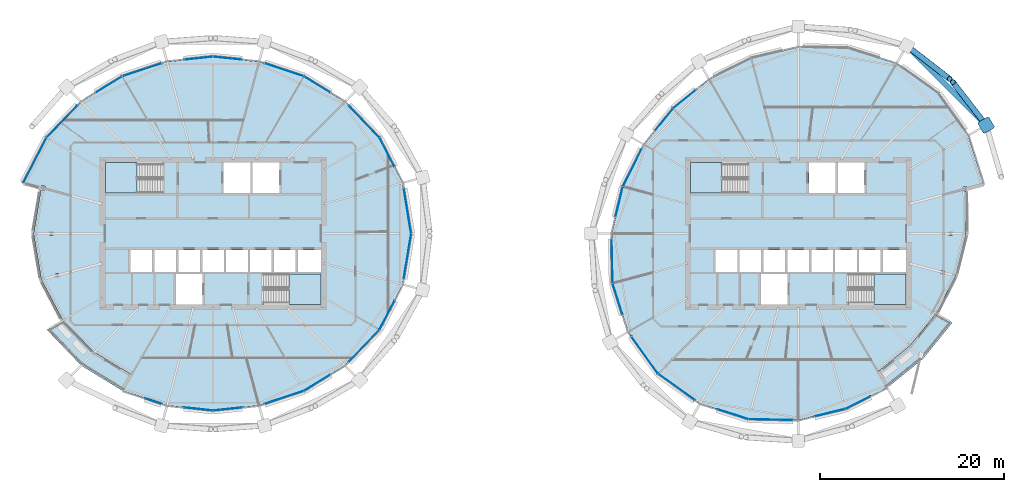
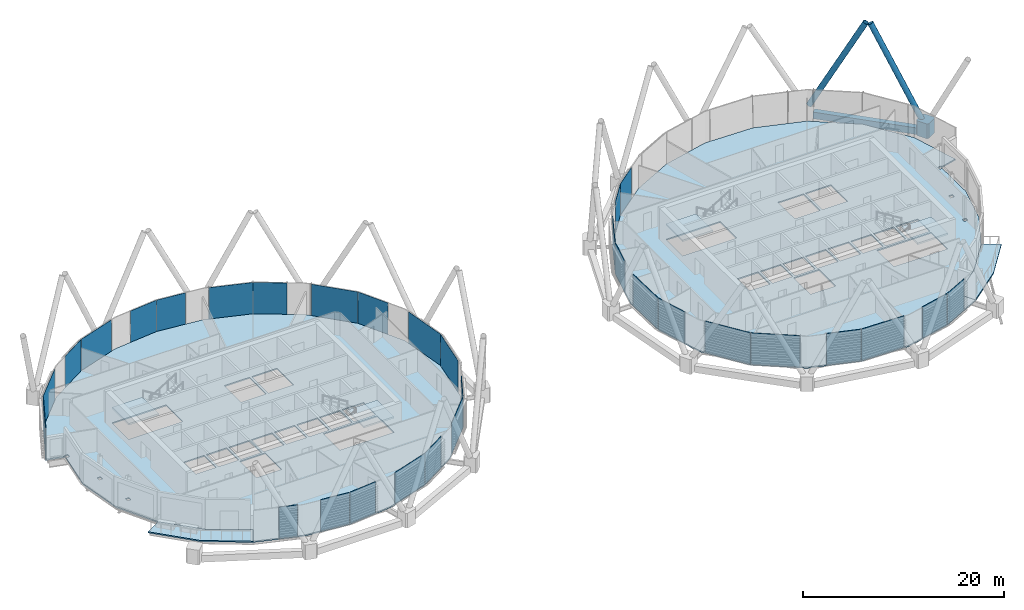
# One storey, part 20 of 36: 31 plates, 8 slabs, 3 members, 1 beam, 6 elements without a shape of their own.
"""IFC4 building model written with IfcOpenShell, lengths in metres."""

from ifc_helpers import new_model, si_unit, direction, frame, origin, origin_2d, place, context, subcontext, project, spatial, polyline, rectangle, hollow_rectangle, hollow_circle, outline, extrude, material, layer, layer_set, material_profile, profile_set, type_object, element, aggregate, save


model = new_model("IFC4")

# Units and contexts
model_context = context("Model", 3, precision=1e-05, world=origin(), true_north=direction((0.0, 1.0)))
body_context = subcontext(model_context, "Body", "Model", "MODEL_VIEW")
ifc_project = project(units=[si_unit("LENGTHUNIT", "METRE"), si_unit("AREAUNIT", "SQUARE_METRE"), si_unit("VOLUMEUNIT", "CUBIC_METRE"), si_unit("PLANEANGLEUNIT", "RADIAN"), si_unit("MASSUNIT", "GRAM", prefix="KILO")], contexts=[model_context])

# Site, building, storey
site_placement = place(None, origin())
site = spatial("IfcSite", under=ifc_project, at=site_placement, CompositionType="ELEMENT")
building_placement = place(site_placement, origin())
building = spatial("IfcBuilding", under=site, at=building_placement, Name="Rimbun Link Towers", CompositionType="ELEMENT")
storey_placement = place(building_placement, frame((0.0, 0.0, 193.10009765625)))
storey = spatial("IfcBuildingStorey", under=building, at=storey_placement, Name="L47", CompositionType="ELEMENT", Elevation=193.10009765625)

# Members
ifc_material_1 = material(Name="Steel S355J2H", Category="steel")
ifc_material_profile_1 = material_profile(ifc_material_1, hollow_circle(Radius=0.3046875, WallThickness=0.02490234375, at=origin_2d()), Name="Diagrid diagonal CHS 610x25")
ifc_profile_set_1 = profile_set([ifc_material_profile_1], Name="Steel S355J2H")
member_type_1 = type_object("IfcMemberType", Name="Diagrid diagonal CHS 610x25", PredefinedType="BRACE", material=ifc_profile_set_1)
for number, where, z_axis, x_axis, name in (
    (1, (43.7138671875, 20.251953125, 0.43994140625), (0.374977723071, -0.290707327666, 0.880273228516), (0.612702795437, 0.790313409012, 0.0), "Diagrid diagonal T2 L47-L50 01a"),
    (2, (52.001953125, 11.9638671875, 0.43994140625), (-0.290707327666, 0.374977723071, 0.880273228516), (-0.790313409012, -0.612702795437, 0.0), "Diagrid diagonal T2 L47-L50 23b"),
):
    element("IfcMember", number, at=place(storey_placement, frame(where, z_axis=z_axis, x_axis=x_axis)), inside=storey, type_object=member_type_1, Name=name, PredefinedType="BRACE", context=body_context, shape_type="SweptSolid", body=[
        extrude(hollow_circle(Radius=0.3046875, WallThickness=0.02490234375, at=origin_2d()), origin(), (0.0, 0.0, 1.0), 11.95068359375),
    ])
ifc_material_2 = material(Name="Cast steel G20Mn5+QT, Rp0.2 300 MPa", Category="steel")
ifc_material_profile_2 = material_profile(ifc_material_2, outline(polyline([(0.699951171875, -0.570068359375), (0.699951171875, 0.570068359375), (0.570068359375, 0.699951171875), (-0.570068359375, 0.699951171875), (-0.699951171875, 0.570068359375), (-0.699951171875, -0.570068359375), (-0.570068359375, -0.699951171875), (0.570068359375, -0.699951171875), (0.699951171875, -0.570068359375)])), Name="NODE 1400x1400")
ifc_profile_set_2 = profile_set([ifc_material_profile_2], Name="Cast steel G20Mn5+QT, Rp0.2 300 MPa")
member_type_2 = type_object("IfcMemberType", Name="Diagrid node cast 1400", PredefinedType="USERDEFINED", material=ifc_profile_set_2)
member_placement = place(storey_placement, frame((52.147216796875, 11.7763671875, -0.900146484375), z_axis=(0.0, 0.0, 1.0), x_axis=(0.866025403784, 0.5, 0.0)))
element("IfcMember", 3, at=member_placement, inside=storey, type_object=member_type_2, Name="Diagrid node L47 23", ObjectType="Diagrid node", PredefinedType="USERDEFINED", context=body_context, shape_type="SweptSolid", body=[
    extrude(outline(polyline([(0.699951171875, -0.570068359375), (0.699951171875, 0.570068359375), (0.570068359375, 0.699951171875), (-0.570068359375, 0.699951171875), (-0.699951171875, 0.570068359375), (-0.699951171875, -0.570068359375), (-0.570068359375, -0.699951171875), (0.570068359375, -0.699951171875), (0.699951171875, -0.570068359375)])), origin(), (0.0, 0.0, 1.0), 1.800048828125),
])

# Beam
ifc_material_3 = material(Name="Steel S355J2", Category="steel")
ifc_material_profile_3 = material_profile(ifc_material_3, hollow_rectangle(XDim=0.60009765625, YDim=0.800048828125, WallThickness=0.0400390625, at=origin_2d()), Name="Exoskeleton ring girder BOX 600x800x40")
ifc_profile_set_3 = profile_set([ifc_material_profile_3], Name="Steel S355J2")
beam_type = type_object("IfcBeamType", Name="Exoskeleton ring girder BOX 600x800x40", PredefinedType="BEAM", material=ifc_profile_set_3)
beam_placement = place(storey_placement, frame((51.65234375, 12.271484375, -0.56005859375), z_axis=(-0.707106781187, 0.707106781187, 0.0), x_axis=(-0.707106781187, -0.707106781187, 0.0)))
element("IfcBeam", 4, at=beam_placement, inside=storey, type_object=beam_type, Name="Exoskeleton ring girder L47 09", PredefinedType="BEAM", context=body_context, shape_type="SweptSolid", body=[
    extrude(hollow_rectangle(XDim=0.60009765625, YDim=0.800048828125, WallThickness=0.0400390625, at=origin_2d()), origin(), (0.0, 0.0, 1.0), 10.791748046875),
])

# Slabs
ifc_material_4 = material(Name="Concrete C35/45", Category="concrete")
ifc_layer_1 = layer(ifc_material_4, 0.14990234375)
ifc_layer_set_1 = layer_set([ifc_layer_1], Name="COMPOSITE FLOOR 150")
slab_type_1 = type_object("IfcSlabType", Name="COMPOSITE FLOOR 150", PredefinedType="FLOOR", material=ifc_layer_set_1)
slab_1_placement = place(storey_placement, frame((0.0, 0.0, -0.150146484375)))
element("IfcSlab", 5, at=slab_1_placement, inside=storey, type_object=slab_type_1, Name="Floor slab T1 L47", PredefinedType="FLOOR", context=body_context, shape_type="SweptSolid", body=[
    extrude(outline(polyline([(-52.326904296875, 5.513671875), (-49.790283203125, 10.41552734375), (-46.058349609375, 14.308349609375), (-41.593505859375, 17.0498046875), (-36.748779296875, 18.6552734375), (-31.75, 19.181640625), (-26.751220703125, 18.6552734375), (-21.906494140625, 17.0498046875), (-17.441650390625, 14.308349609375), (-13.709716796875, 10.41552734375), (-11.173095703125, 5.513671875), (-10.2666015625, 0.0), (-11.173095703125, -5.513671875), (-13.709716796875, -10.41552734375), (-17.441650390625, -14.308349609375), (-21.906494140625, -17.0498046875), (-26.751220703125, -18.6552734375), (-31.75, -19.181640625), (-36.748779296875, -18.6552734375), (-41.593505859375, -17.0498046875), (-40.593505859375, -15.317626953125), (-44.64404296875, -12.89404296875), (-48.058349609375, -9.41552734375), (-50.39501953125, -4.995849609375), (-51.2333984375, 0.0), (-50.41455078125, 4.87890625), (-50.41455078125, 4.7509765625), (-50.015625, 4.7509765625), (-50.015625, 5.14453125), (-50.41455078125, 5.14453125), (-50.41455078125, 5.001220703125), (-52.326904296875, 5.513671875)]), holes=[polyline([(-32.89990234375, -7.699951171875), (-32.89990234375, -4.39990234375), (-35.800048828125, -4.39990234375), (-35.800048828125, -7.699951171875), (-32.89990234375, -7.699951171875)]), polyline([(-48.47119140625, -4.730712890625), (-48.47119140625, -4.337158203125), (-48.8701171875, -4.337158203125), (-48.8701171875, -4.730712890625), (-48.47119140625, -4.730712890625)]), polyline([(-38.361083984375, -4.14990234375), (-38.361083984375, -1.75), (-40.70556640625, -1.75), (-40.70556640625, -4.14990234375), (-38.361083984375, -4.14990234375)]), polyline([(-35.7666015625, -4.14990234375), (-35.7666015625, -1.75), (-38.111083984375, -1.75), (-38.111083984375, -4.14990234375), (-35.7666015625, -4.14990234375)]), polyline([(-33.172119140625, -4.14990234375), (-33.172119140625, -1.75), (-35.5166015625, -1.75), (-35.5166015625, -4.14990234375), (-33.172119140625, -4.14990234375)]), polyline([(-49.122802734375, -0.19677734375), (-49.122802734375, 0.19677734375), (-49.521728515625, 0.19677734375), (-49.521728515625, -0.19677734375), (-49.122802734375, -0.19677734375)]), polyline([(-37.260009765625, 4.39990234375), (-37.260009765625, 7.699951171875), (-43.449951171875, 7.699951171875), (-43.449951171875, 4.39990234375), (-37.260009765625, 4.39990234375)]), polyline([(-20.050048828125, -7.699951171875), (-20.050048828125, -4.39990234375), (-26.239990234375, -4.39990234375), (-26.239990234375, -7.699951171875), (-20.050048828125, -7.699951171875)]), polyline([(-30.577880859375, -4.14990234375), (-30.577880859375, -1.75), (-32.922119140625, -1.75), (-32.922119140625, -4.14990234375), (-30.577880859375, -4.14990234375)]), polyline([(-27.9833984375, -4.14990234375), (-27.9833984375, -1.75), (-30.327880859375, -1.75), (-30.327880859375, -4.14990234375), (-27.9833984375, -4.14990234375)]), polyline([(-25.388916015625, -4.14990234375), (-25.388916015625, -1.75), (-27.7333984375, -1.75), (-27.7333984375, -4.14990234375), (-25.388916015625, -4.14990234375)]), polyline([(-22.79443359375, -4.14990234375), (-22.79443359375, -1.75), (-25.138916015625, -1.75), (-25.138916015625, -4.14990234375), (-22.79443359375, -4.14990234375)]), polyline([(-20.050048828125, -4.14990234375), (-20.050048828125, -1.75), (-22.54443359375, -1.75), (-22.54443359375, -4.14990234375), (-20.050048828125, -4.14990234375)]), polyline([(-27.699951171875, 4.39990234375), (-27.699951171875, 7.699951171875), (-30.60009765625, 7.699951171875), (-30.60009765625, 4.39990234375), (-27.699951171875, 4.39990234375)]), polyline([(-24.550048828125, 4.39990234375), (-24.550048828125, 7.699951171875), (-27.449951171875, 7.699951171875), (-27.449951171875, 4.39990234375), (-24.550048828125, 4.39990234375)])]), origin(), (0.0, 0.0, 1.0), 0.150146484375),
])
slab_2_placement = place(storey_placement, frame((0.0, 0.0, -0.150146484375)))
element("IfcSlab", 6, at=slab_2_placement, inside=storey, type_object=slab_type_1, Name="Floor slab T2 L47", PredefinedType="FLOOR", context=body_context, shape_type="SweptSolid", body=[
    extrude(outline(polyline([(49.985107421875, 0.0), (48.834716796875, -4.577880859375), (46.743896484375, -8.65673828125), (43.8994140625, -12.1494140625), (40.40673828125, -14.993896484375), (41.40673828125, -16.725830078125), (36.845458984375, -19.016357421875), (31.75, -20.235107421875), (26.3583984375, -20.12158203125), (21.0986328125, -18.44873046875), (16.558837890625, -15.191162109375), (13.30126953125, -10.6513671875), (11.62841796875, -5.3916015625), (11.514892578125, 0.0), (12.733642578125, 5.095458984375), (15.024169921875, 9.65673828125), (18.1865234375, 13.5634765625), (22.09326171875, 16.725830078125), (26.654541015625, 19.016357421875), (31.75, 20.235107421875), (37.1416015625, 20.12158203125), (42.4013671875, 18.44873046875), (46.941162109375, 15.191162109375), (50.19873046875, 10.6513671875), (51.87158203125, 5.3916015625), (50.05078125, 4.90380859375), (50.05078125, 5.047119140625), (49.651611328125, 5.047119140625), (49.651611328125, 4.6533203125), (49.941650390625, 4.6533203125), (49.985107421875, 0.0)]), holes=[polyline([(30.60009765625, -7.699951171875), (30.60009765625, -4.39990234375), (27.699951171875, -4.39990234375), (27.699951171875, -7.699951171875), (30.60009765625, -7.699951171875)]), polyline([(25.138916015625, -4.14990234375), (25.138916015625, -1.75), (22.79443359375, -1.75), (22.79443359375, -4.14990234375), (25.138916015625, -4.14990234375)]), polyline([(27.7333984375, -4.14990234375), (27.7333984375, -1.75), (25.388916015625, -1.75), (25.388916015625, -4.14990234375), (27.7333984375, -4.14990234375)]), polyline([(30.327880859375, -4.14990234375), (30.327880859375, -1.75), (27.9833984375, -1.75), (27.9833984375, -4.14990234375), (30.327880859375, -4.14990234375)]), polyline([(32.922119140625, -4.14990234375), (32.922119140625, -1.75), (30.577880859375, -1.75), (30.577880859375, -4.14990234375), (32.922119140625, -4.14990234375)]), polyline([(35.5166015625, -4.14990234375), (35.5166015625, -1.75), (33.172119140625, -1.75), (33.172119140625, -4.14990234375), (35.5166015625, -4.14990234375)]), polyline([(26.239990234375, 4.39990234375), (26.239990234375, 7.699951171875), (20.050048828125, 7.699951171875), (20.050048828125, 4.39990234375), (26.239990234375, 4.39990234375)]), polyline([(35.800048828125, 4.39990234375), (35.800048828125, 7.699951171875), (32.89990234375, 7.699951171875), (32.89990234375, 4.39990234375), (35.800048828125, 4.39990234375)]), polyline([(43.449951171875, -7.699951171875), (43.449951171875, -4.39990234375), (37.260009765625, -4.39990234375), (37.260009765625, -7.699951171875), (43.449951171875, -7.699951171875)]), polyline([(47.6484375, -4.4033203125), (47.6484375, -4.009765625), (47.24951171875, -4.009765625), (47.24951171875, -4.4033203125), (47.6484375, -4.4033203125)]), polyline([(38.111083984375, -4.14990234375), (38.111083984375, -1.75), (35.7666015625, -1.75), (35.7666015625, -4.14990234375), (38.111083984375, -4.14990234375)]), polyline([(40.70556640625, -4.14990234375), (40.70556640625, -1.75), (38.361083984375, -1.75), (38.361083984375, -4.14990234375), (40.70556640625, -4.14990234375)]), polyline([(43.449951171875, -4.14990234375), (43.449951171875, -1.75), (40.95556640625, -1.75), (40.95556640625, -4.14990234375), (43.449951171875, -4.14990234375)]), polyline([(48.51904296875, -0.19677734375), (48.51904296875, 0.19677734375), (48.1201171875, 0.19677734375), (48.1201171875, -0.19677734375), (48.51904296875, -0.19677734375)]), polyline([(38.949951171875, 4.39990234375), (38.949951171875, 7.699951171875), (36.050048828125, 7.699951171875), (36.050048828125, 4.39990234375), (38.949951171875, 4.39990234375)])]), origin(), (0.0, 0.0, 1.0), 0.150146484375),
])

# Curtain wall, plates
ifc_material_5 = material(Name="Aluminium 6063-T6 and low-iron glass", Category="aluminium")
curtain_wall_type = type_object("IfcCurtainWallType", Name="CW1-Z3 unitised vision wall (zone 3)", PredefinedType="NOTDEFINED", material=ifc_material_5)
curtain_wall_1_placement = place(storey_placement, origin())
curtain_wall_1 = element("IfcCurtainWall", 7, at=curtain_wall_1_placement, inside=storey, type_object=curtain_wall_type, Name="CW1 L47 T1", PredefinedType="NOTDEFINED")
ifc_material_6 = material(Name="Low-iron glass, laminated low-e unit", Category="glass")
ifc_layer_2 = layer(ifc_material_6, 0.028076171875)
ifc_layer_set_2 = layer_set([ifc_layer_2], Name="CW1 panel Low-iron glass 28")
plate_type = type_object("IfcPlateType", Name="CW1 panel Low-iron glass 28", PredefinedType="CURTAIN_PANEL", material=ifc_layer_set_2)
plate_1_placement = place(storey_placement, frame((-10.6572265625, 2.463134765625, 0.0), z_axis=(0.0, 0.0, 1.0), x_axis=(0.162251000037, -0.986749518868, 0.0)))
plate_1 = element("IfcPlate", 8, at=plate_1_placement, type_object=plate_type, Name="CW1 panel", PredefinedType="CURTAIN_PANEL", context=body_context, shape_type="SweptSolid", body=[
    extrude(rectangle(XDim=4.94775390625, YDim=0.028076171875, at=origin_2d()), origin(), (0.0, 0.0, 1.0), 3.800048828125),
])
plate_2_placement = place(storey_placement, frame((-12.876953125, 8.8369140625, 0.0), z_axis=(0.0, 0.0, 1.0), x_axis=(0.459563387219, -0.888144973035, 0.0)))
plate_2 = element("IfcPlate", 9, at=plate_2_placement, type_object=plate_type, Name="CW1 panel", PredefinedType="CURTAIN_PANEL", context=body_context, shape_type="SweptSolid", body=[
    extrude(rectangle(XDim=3.529296875, YDim=0.028076171875, at=origin_2d()), origin(), (0.0, 0.0, 1.0), 3.800048828125),
])
plate_3_placement = place(storey_placement, frame((-15.375244140625, 12.173095703125, 0.0), z_axis=(0.0, 0.0, 1.0), x_axis=(0.692040676143, -0.721858505917, 0.0)))
plate_3 = element("IfcPlate", 10, at=plate_3_placement, type_object=plate_type, Name="CW1 panel", PredefinedType="CURTAIN_PANEL", context=body_context, shape_type="SweptSolid", body=[
    extrude(rectangle(XDim=4.802734375, YDim=0.028076171875, at=origin_2d()), origin(), (0.0, 0.0, 1.0), 3.800048828125),
])
plate_4_placement = place(storey_placement, frame((-20.454833984375, 16.175048828125, 0.0), z_axis=(0.0, 0.0, 1.0), x_axis=(0.852191980023, -0.523229231966, 0.0)))
plate_4 = element("IfcPlate", 11, at=plate_4_placement, type_object=plate_type, Name="CW1 panel", PredefinedType="CURTAIN_PANEL", context=body_context, shape_type="SweptSolid", body=[
    extrude(rectangle(XDim=3.34912109375, YDim=0.028076171875, at=origin_2d()), origin(), (0.0, 0.0, 1.0), 3.800048828125),
])
plate_5_placement = place(storey_placement, frame((-24.039794921875, 17.771484375, 0.0), z_axis=(0.0, 0.0, 1.0), x_axis=(0.949238257149, -0.314557993327, 0.0)))
plate_5 = element("IfcPlate", 12, at=plate_5_placement, type_object=plate_type, Name="CW1 panel", PredefinedType="CURTAIN_PANEL", context=body_context, shape_type="SweptSolid", body=[
    extrude(rectangle(XDim=4.4638671875, YDim=0.028076171875, at=origin_2d()), origin(), (0.0, 0.0, 1.0), 3.800048828125),
])
plate_6_placement = place(storey_placement, frame((-30.169189453125, 19.029296875, 0.0), z_axis=(0.0, 0.0, 1.0), x_axis=(0.994498801029, -0.104747958219, 0.0)))
plate_6 = element("IfcPlate", 13, at=plate_6_placement, type_object=plate_type, Name="CW1 panel", PredefinedType="CURTAIN_PANEL", context=body_context, shape_type="SweptSolid", body=[
    extrude(rectangle(XDim=3.13623046875, YDim=0.028076171875, at=origin_2d()), origin(), (0.0, 0.0, 1.0), 3.800048828125),
])
plate_7_placement = place(storey_placement, frame((-33.330810546875, 19.029296875, 0.0), z_axis=(0.0, 0.0, 1.0), x_axis=(0.994498801029, 0.104747958219, 0.0)))
plate_7 = element("IfcPlate", 14, at=plate_7_placement, type_object=plate_type, Name="CW1 panel", PredefinedType="CURTAIN_PANEL", context=body_context, shape_type="SweptSolid", body=[
    extrude(rectangle(XDim=3.13623046875, YDim=0.028076171875, at=origin_2d()), origin(), (0.0, 0.0, 1.0), 3.800048828125),
])
plate_8_placement = place(storey_placement, frame((-39.460205078125, 17.771484375, 0.0), z_axis=(0.0, 0.0, 1.0), x_axis=(0.949238257149, 0.314557993327, 0.0)))
plate_8 = element("IfcPlate", 15, at=plate_8_placement, type_object=plate_type, Name="CW1 panel", PredefinedType="CURTAIN_PANEL", context=body_context, shape_type="SweptSolid", body=[
    extrude(rectangle(XDim=4.4638671875, YDim=0.028076171875, at=origin_2d()), origin(), (0.0, 0.0, 1.0), 3.800048828125),
])
plate_9_placement = place(storey_placement, frame((-43.045166015625, 16.175048828125, 0.0), z_axis=(0.0, 0.0, 1.0), x_axis=(0.852191980023, 0.523229231966, 0.0)))
plate_9 = element("IfcPlate", 16, at=plate_9_placement, type_object=plate_type, Name="CW1 panel", PredefinedType="CURTAIN_PANEL", context=body_context, shape_type="SweptSolid", body=[
    extrude(rectangle(XDim=3.34912109375, YDim=0.028076171875, at=origin_2d()), origin(), (0.0, 0.0, 1.0), 3.800048828125),
])
plate_10_placement = place(storey_placement, frame((-48.124755859375, 12.173095703125, 0.0), z_axis=(0.0, 0.0, 1.0), x_axis=(0.692040676143, 0.721858505917, 0.0)))
plate_10 = element("IfcPlate", 17, at=plate_10_placement, type_object=plate_type, Name="CW1 panel", PredefinedType="CURTAIN_PANEL", context=body_context, shape_type="SweptSolid", body=[
    extrude(rectangle(XDim=4.802734375, YDim=0.028076171875, at=origin_2d()), origin(), (0.0, 0.0, 1.0), 3.800048828125),
])
plate_11_placement = place(storey_placement, frame((-51.071044921875, 7.970947265625, 0.0), z_axis=(0.0, 0.0, 1.0), x_axis=(0.459563387219, 0.888144973035, 0.0)))
plate_11 = element("IfcPlate", 18, at=plate_11_placement, type_object=plate_type, Name="CW1 panel", PredefinedType="CURTAIN_PANEL", context=body_context, shape_type="SweptSolid", body=[
    extrude(rectangle(XDim=5.479248046875, YDim=0.028076171875, at=origin_2d()), origin(), (0.0, 0.0, 1.0), 3.800048828125),
])
plate_12_placement = place(storey_placement, frame((-38.226318359375, -18.18017578125, 0.0), z_axis=(0.0, 0.0, 1.0), x_axis=(-0.949238257149, 0.314557993327, 0.0)))
plate_12 = element("IfcPlate", 19, at=plate_12_placement, type_object=plate_type, Name="CW1 panel", PredefinedType="CURTAIN_PANEL", context=body_context, shape_type="SweptSolid", body=[
    extrude(rectangle(XDim=1.864013671875, YDim=0.028076171875, at=origin_2d()), origin(), (0.0, 0.0, 1.0), 3.800048828125),
])
plate_13_placement = place(storey_placement, frame((-33.330810546875, -19.029296875, 0.0), z_axis=(0.0, 0.0, 1.0), x_axis=(-0.994498801029, 0.104747958219, 0.0)))
plate_13 = element("IfcPlate", 20, at=plate_13_placement, type_object=plate_type, Name="CW1 panel", PredefinedType="CURTAIN_PANEL", context=body_context, shape_type="SweptSolid", body=[
    extrude(rectangle(XDim=3.13623046875, YDim=0.028076171875, at=origin_2d()), origin(), (0.0, 0.0, 1.0), 3.800048828125),
])
plate_14_placement = place(storey_placement, frame((-30.169189453125, -19.029296875, 0.0), z_axis=(0.0, 0.0, 1.0), x_axis=(-0.994498801029, -0.104747958219, 0.0)))
plate_14 = element("IfcPlate", 21, at=plate_14_placement, type_object=plate_type, Name="CW1 panel", PredefinedType="CURTAIN_PANEL", context=body_context, shape_type="SweptSolid", body=[
    extrude(rectangle(XDim=3.13623046875, YDim=0.028076171875, at=origin_2d()), origin(), (0.0, 0.0, 1.0), 3.800048828125),
])
plate_15_placement = place(storey_placement, frame((-24.039794921875, -17.771484375, 0.0), z_axis=(0.0, 0.0, 1.0), x_axis=(-0.949238257149, -0.314557993327, 0.0)))
plate_15 = element("IfcPlate", 22, at=plate_15_placement, type_object=plate_type, Name="CW1 panel", PredefinedType="CURTAIN_PANEL", context=body_context, shape_type="SweptSolid", body=[
    extrude(rectangle(XDim=4.4638671875, YDim=0.028076171875, at=origin_2d()), origin(), (0.0, 0.0, 1.0), 3.800048828125),
])
plate_16_placement = place(storey_placement, frame((-20.454833984375, -16.175048828125, 0.0), z_axis=(0.0, 0.0, 1.0), x_axis=(-0.852191980023, -0.523229231966, 0.0)))
plate_16 = element("IfcPlate", 23, at=plate_16_placement, type_object=plate_type, Name="CW1 panel", PredefinedType="CURTAIN_PANEL", context=body_context, shape_type="SweptSolid", body=[
    extrude(rectangle(XDim=3.34912109375, YDim=0.028076171875, at=origin_2d()), origin(), (0.0, 0.0, 1.0), 3.800048828125),
])
plate_17_placement = place(storey_placement, frame((-15.375244140625, -12.173095703125, 0.0), z_axis=(0.0, 0.0, 1.0), x_axis=(-0.692040676143, -0.721858505917, 0.0)))
plate_17 = element("IfcPlate", 24, at=plate_17_placement, type_object=plate_type, Name="CW1 panel", PredefinedType="CURTAIN_PANEL", context=body_context, shape_type="SweptSolid", body=[
    extrude(rectangle(XDim=4.802734375, YDim=0.028076171875, at=origin_2d()), origin(), (0.0, 0.0, 1.0), 3.800048828125),
])
plate_18_placement = place(storey_placement, frame((-12.876953125, -8.8369140625, 0.0), z_axis=(0.0, 0.0, 1.0), x_axis=(-0.459563387219, -0.888144973035, 0.0)))
plate_18 = element("IfcPlate", 25, at=plate_18_placement, type_object=plate_type, Name="CW1 panel", PredefinedType="CURTAIN_PANEL", context=body_context, shape_type="SweptSolid", body=[
    extrude(rectangle(XDim=3.529296875, YDim=0.028076171875, at=origin_2d()), origin(), (0.0, 0.0, 1.0), 3.800048828125),
])
plate_19_placement = place(storey_placement, frame((-10.6572265625, -2.463134765625, 0.0), z_axis=(0.0, 0.0, 1.0), x_axis=(-0.162251000037, -0.986749518868, 0.0)))
plate_19 = element("IfcPlate", 26, at=plate_19_placement, type_object=plate_type, Name="CW1 panel", PredefinedType="CURTAIN_PANEL", context=body_context, shape_type="SweptSolid", body=[
    extrude(rectangle(XDim=4.94775390625, YDim=0.028076171875, at=origin_2d()), origin(), (0.0, 0.0, 1.0), 3.800048828125),
])
aggregate(curtain_wall_1, [plate_1, plate_2, plate_3, plate_4, plate_5, plate_6, plate_7, plate_8, plate_9, plate_10, plate_11, plate_12, plate_13, plate_14, plate_15, plate_16, plate_17, plate_18, plate_19])

curtain_wall_2_placement = place(storey_placement, origin())
curtain_wall_2 = element("IfcCurtainWall", 27, at=curtain_wall_2_placement, inside=storey, type_object=curtain_wall_type, Name="CW1 L47 T2", PredefinedType="NOTDEFINED")
plate_20_placement = place(storey_placement, frame((19.412109375, 14.573486328125, 0.0), z_axis=(0.0, 0.0, 1.0), x_axis=(0.777278691991, 0.629156447139, 0.0)))
plate_20 = element("IfcPlate", 28, at=plate_20_placement, type_object=plate_type, Name="CW1 panel", PredefinedType="CURTAIN_PANEL", context=body_context, shape_type="SweptSolid", body=[
    extrude(rectangle(XDim=3.13623046875, YDim=0.028076171875, at=origin_2d()), origin(), (0.0, 0.0, 1.0), 3.800048828125),
])
plate_21_placement = place(storey_placement, frame((17.192138671875, 12.357421875, 0.0), z_axis=(0.0, 0.0, 1.0), x_axis=(0.629156447139, 0.777278691991, 0.0)))
plate_21 = element("IfcPlate", 29, at=plate_21_placement, type_object=plate_type, Name="CW1 panel", PredefinedType="CURTAIN_PANEL", context=body_context, shape_type="SweptSolid", body=[
    extrude(rectangle(XDim=3.086181640625, YDim=0.028076171875, at=origin_2d()), origin(), (0.0, 0.0, 1.0), 3.800048828125),
])
plate_22_placement = place(storey_placement, frame((13.742919921875, 7.136474609375, 0.0), z_axis=(0.0, 0.0, 1.0), x_axis=(0.448772432233, 0.893646073156, 0.0)))
plate_22 = element("IfcPlate", 30, at=plate_22_placement, type_object=plate_type, Name="CW1 panel", PredefinedType="CURTAIN_PANEL", context=body_context, shape_type="SweptSolid", body=[
    extrude(rectangle(XDim=4.51416015625, YDim=0.028076171875, at=origin_2d()), origin(), (0.0, 0.0, 1.0), 3.800048828125),
])
plate_23_placement = place(storey_placement, frame((12.32568359375, 3.45068359375, 0.0), z_axis=(0.0, 0.0, 1.0), x_axis=(0.23261560244, 0.972568754126, 0.0)))
plate_23 = element("IfcPlate", 31, at=plate_23_placement, type_object=plate_type, Name="CW1 panel", PredefinedType="CURTAIN_PANEL", context=body_context, shape_type="SweptSolid", body=[
    extrude(rectangle(XDim=3.34912109375, YDim=0.028076171875, at=origin_2d()), origin(), (0.0, 0.0, 1.0), 3.800048828125),
])
plate_24_placement = place(storey_placement, frame((11.5634765625, -2.970947265625, 0.0), z_axis=(0.0, 0.0, 1.0), x_axis=(-0.021065527565, 0.999778097154, 0.0)))
plate_24 = element("IfcPlate", 32, at=plate_24_placement, type_object=plate_type, Name="CW1 panel", PredefinedType="CURTAIN_PANEL", context=body_context, shape_type="SweptSolid", body=[
    extrude(rectangle(XDim=4.802734375, YDim=0.028076171875, at=origin_2d()), origin(), (0.0, 0.0, 1.0), 3.800048828125),
])
plate_25_placement = place(storey_placement, frame((12.156005859375, -7.096435546875, 0.0), z_axis=(0.0, 0.0, 1.0), x_axis=(-0.303071290464, 0.952967886603, 0.0)))
plate_25 = element("IfcPlate", 33, at=plate_25_placement, type_object=plate_type, Name="CW1 panel", PredefinedType="CURTAIN_PANEL", context=body_context, shape_type="SweptSolid", body=[
    extrude(rectangle(XDim=3.529541015625, YDim=0.028076171875, at=origin_2d()), origin(), (0.0, 0.0, 1.0), 3.800048828125),
])
plate_26_placement = place(storey_placement, frame((15.09375, -13.173095703125, 0.0), z_axis=(0.0, 0.0, 1.0), x_axis=(-0.583009333198, 0.81246545613, 0.0)))
plate_26 = element("IfcPlate", 34, at=plate_26_placement, type_object=plate_type, Name="CW1 panel", PredefinedType="CURTAIN_PANEL", context=body_context, shape_type="SweptSolid", body=[
    extrude(rectangle(XDim=4.947509765625, YDim=0.028076171875, at=origin_2d()), origin(), (0.0, 0.0, 1.0), 3.800048828125),
])
plate_27_placement = place(storey_placement, frame((18.556640625, -16.641845703125, 0.0), z_axis=(0.0, 0.0, 1.0), x_axis=(-0.81246545613, 0.583009333198, 0.0)))
plate_27 = element("IfcPlate", 35, at=plate_27_placement, type_object=plate_type, Name="CW1 panel", PredefinedType="CURTAIN_PANEL", context=body_context, shape_type="SweptSolid", body=[
    extrude(rectangle(XDim=4.8974609375, YDim=0.028076171875, at=origin_2d()), origin(), (0.0, 0.0, 1.0), 3.800048828125),
])
plate_28_placement = place(storey_placement, frame((24.653564453125, -19.593994140625, 0.0), z_axis=(0.0, 0.0, 1.0), x_axis=(-0.952967886603, 0.303071290464, 0.0)))
plate_28 = element("IfcPlate", 36, at=plate_28_placement, type_object=plate_type, Name="CW1 panel", PredefinedType="CURTAIN_PANEL", context=body_context, shape_type="SweptSolid", body=[
    extrude(rectangle(XDim=3.529541015625, YDim=0.028076171875, at=origin_2d()), origin(), (0.0, 0.0, 1.0), 3.800048828125),
])
plate_29_placement = place(storey_placement, frame((28.779052734375, -20.1865234375, 0.0), z_axis=(0.0, 0.0, 1.0), x_axis=(-0.999778097154, 0.021065527565, 0.0)))
plate_29 = element("IfcPlate", 37, at=plate_29_placement, type_object=plate_type, Name="CW1 panel", PredefinedType="CURTAIN_PANEL", context=body_context, shape_type="SweptSolid", body=[
    extrude(rectangle(XDim=4.802734375, YDim=0.028076171875, at=origin_2d()), origin(), (0.0, 0.0, 1.0), 3.800048828125),
])
plate_30_placement = place(storey_placement, frame((35.17626953125, -19.429931640625, 0.0), z_axis=(0.0, 0.0, 1.0), x_axis=(-0.972568754126, -0.23261560244, 0.0)))
plate_30 = element("IfcPlate", 38, at=plate_30_placement, type_object=plate_type, Name="CW1 panel", PredefinedType="CURTAIN_PANEL", context=body_context, shape_type="SweptSolid", body=[
    extrude(rectangle(XDim=3.399169921875, YDim=0.028076171875, at=origin_2d()), origin(), (0.0, 0.0, 1.0), 3.800048828125),
])
plate_31_placement = place(storey_placement, frame((38.21630859375, -18.343505859375, 0.0), z_axis=(0.0, 0.0, 1.0), x_axis=(-0.893646073156, -0.448772432233, 0.0)))
plate_31 = element("IfcPlate", 39, at=plate_31_placement, type_object=plate_type, Name="CW1 panel", PredefinedType="CURTAIN_PANEL", context=body_context, shape_type="SweptSolid", body=[
    extrude(rectangle(XDim=3.01416015625, YDim=0.028076171875, at=origin_2d()), origin(), (0.0, 0.0, 1.0), 3.800048828125),
])
aggregate(curtain_wall_2, [plate_20, plate_21, plate_22, plate_23, plate_24, plate_25, plate_26, plate_27, plate_28, plate_29, plate_30, plate_31])

# Stair, slab
ifc_material_7 = material(Name="Concrete C40/50", Category="concrete")
stair_type = type_object("IfcStairType", Name="Exit stair 3800 rise", PredefinedType="HALF_TURN_STAIR", material=ifc_material_7)
stair_1_placement = place(storey_placement, origin())
stair_1 = element("IfcStair", 40, at=stair_1_placement, inside=storey, type_object=stair_type, Name="L47 EXIT STAIR A", PredefinedType="HALF_TURN_STAIR")
ifc_material_8 = material(Name="Concrete C40/50", Category="concrete")
ifc_layer_3 = layer(ifc_material_8, 0.199951171875)
ifc_layer_set_3 = layer_set([ifc_layer_3], Name="Stair landing")
slab_type_2 = type_object("IfcSlabType", Name="Stair landing", PredefinedType="LANDING", material=ifc_layer_set_3)
slab_3_placement = place(storey_placement, frame((0.0, 0.0, 1.699951171875)))
slab_3 = element("IfcSlab", 41, at=slab_3_placement, type_object=slab_type_2, Name="ST1 landing 1", PredefinedType="LANDING", context=body_context, shape_type="SweptSolid", body=[
    extrude(outline(polyline([(-40.0, 7.699951171875), (-43.449951171875, 7.699951171875), (-43.449951171875, 4.39990234375), (-40.0, 4.39990234375), (-40.0, 7.699951171875)])), origin(), (0.0, 0.0, 1.0), 0.199951171875),
])
aggregate(stair_1, [slab_3])

stair_2_placement = place(storey_placement, origin())
stair_2 = element("IfcStair", 42, at=stair_2_placement, inside=storey, type_object=stair_type, Name="L47 EXIT STAIR B", PredefinedType="HALF_TURN_STAIR")
slab_4_placement = place(storey_placement, frame((0.0, 0.0, 1.699951171875)))
slab_4 = element("IfcSlab", 43, at=slab_4_placement, type_object=slab_type_2, Name="ST2 landing 1", PredefinedType="LANDING", context=body_context, shape_type="SweptSolid", body=[
    extrude(outline(polyline([(-23.5, -7.699951171875), (-20.050048828125, -7.699951171875), (-20.050048828125, -4.39990234375), (-23.5, -4.39990234375), (-23.5, -7.699951171875)])), origin(), (0.0, 0.0, 1.0), 0.199951171875),
])
aggregate(stair_2, [slab_4])

stair_3_placement = place(storey_placement, origin())
stair_3 = element("IfcStair", 44, at=stair_3_placement, inside=storey, type_object=stair_type, Name="L47 EXIT STAIR A", PredefinedType="HALF_TURN_STAIR")
slab_5_placement = place(storey_placement, frame((0.0, 0.0, 1.699951171875)))
slab_5 = element("IfcSlab", 45, at=slab_5_placement, type_object=slab_type_2, Name="ST3 landing 1", PredefinedType="LANDING", context=body_context, shape_type="SweptSolid", body=[
    extrude(outline(polyline([(23.5, 7.699951171875), (20.050048828125, 7.699951171875), (20.050048828125, 4.39990234375), (23.5, 4.39990234375), (23.5, 7.699951171875)])), origin(), (0.0, 0.0, 1.0), 0.199951171875),
])
aggregate(stair_3, [slab_5])

stair_4_placement = place(storey_placement, origin())
stair_4 = element("IfcStair", 46, at=stair_4_placement, inside=storey, type_object=stair_type, Name="L47 EXIT STAIR B", PredefinedType="HALF_TURN_STAIR")
slab_6_placement = place(storey_placement, frame((0.0, 0.0, 1.699951171875)))
slab_6 = element("IfcSlab", 47, at=slab_6_placement, type_object=slab_type_2, Name="ST4 landing 1", PredefinedType="LANDING", context=body_context, shape_type="SweptSolid", body=[
    extrude(outline(polyline([(40.0, -7.699951171875), (43.449951171875, -7.699951171875), (43.449951171875, -4.39990234375), (40.0, -4.39990234375), (40.0, -7.699951171875)])), origin(), (0.0, 0.0, 1.0), 0.199951171875),
])
aggregate(stair_4, [slab_6])

# Slabs
ifc_material_9 = material(Name="Concrete C35/45", Category="concrete")
ifc_layer_4 = layer(ifc_material_9, 0.14990234375)
ifc_layer_set_4 = layer_set([ifc_layer_4], Name="TERRACE SLAB 150")
slab_type_3 = type_object("IfcSlabType", Name="TERRACE SLAB 150", PredefinedType="FLOOR", material=ifc_layer_set_4)
slab_7_placement = place(storey_placement, frame((0.0, 0.0, -0.150146484375)))
element("IfcSlab", 48, at=slab_7_placement, inside=storey, type_object=slab_type_3, Name="Terrace slab T1 L47", PredefinedType="FLOOR", context=body_context, shape_type="SweptSolid", body=[
    extrude(outline(polyline([(-48.058349609375, -9.41552734375), (-44.64404296875, -12.89404296875), (-40.593505859375, -15.317626953125), (-41.593505859375, -17.0498046875), (-46.058349609375, -14.308349609375), (-49.790283203125, -10.41552734375), (-48.058349609375, -9.41552734375)])), origin(), (0.0, 0.0, 1.0), 0.150146484375),
])
slab_8_placement = place(storey_placement, frame((0.0, 0.0, -0.150146484375)))
element("IfcSlab", 49, at=slab_8_placement, inside=storey, type_object=slab_type_3, Name="Terrace slab T2 L47", PredefinedType="FLOOR", context=body_context, shape_type="SweptSolid", body=[
    extrude(outline(polyline([(40.40673828125, -14.993896484375), (43.8994140625, -12.1494140625), (46.743896484375, -8.65673828125), (48.475830078125, -9.65673828125), (45.3134765625, -13.5634765625), (41.40673828125, -16.725830078125), (40.40673828125, -14.993896484375)])), origin(), (0.0, 0.0, 1.0), 0.150146484375),
])

save(model, "model.ifc")
